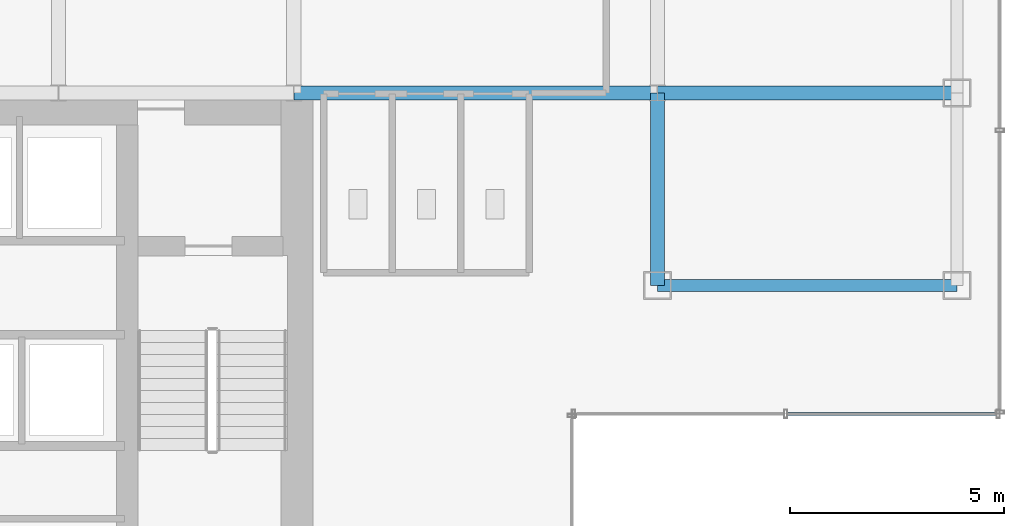
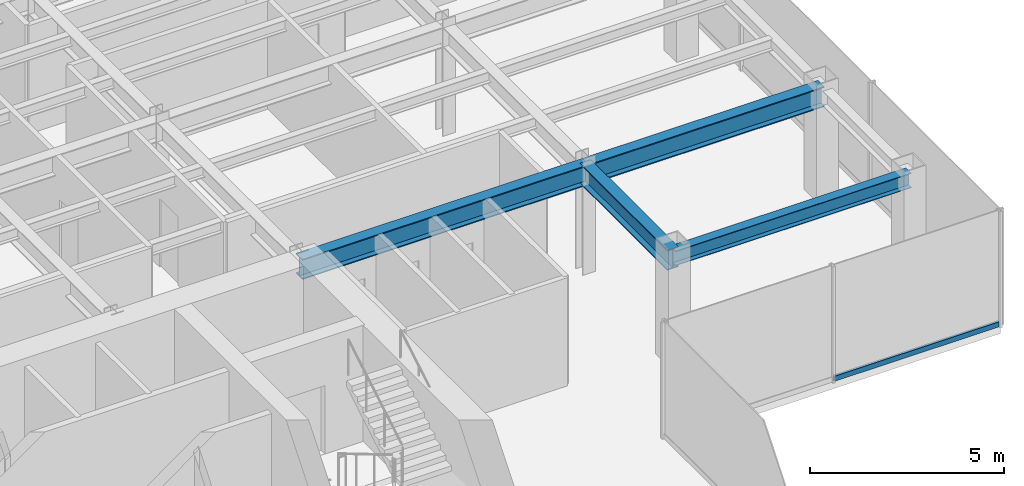
# One storey, part 4 of 19: 4 beams, 1 member, 1 element without a shape of its own.
"""IFC4 building model written with IfcOpenShell, lengths in metres."""

from ifc_helpers import new_model, si_unit, derived_unit, direction, frame, origin, origin_2d, place, context, subcontext, project, spatial, hollow_rectangle, i_section, extrude, source, transform, mapped, material, material_profile, profile_set, type_object, element, aggregate, save


model = new_model("IFC4")

# Units and contexts
model_context = context("Model", 3, precision=1e-05, world=origin(), true_north=direction((0.0, 1.0)))
body_context = subcontext(model_context, "Body", "Model", "MODEL_VIEW")
ifc_project = project(units=[si_unit("LENGTHUNIT", "METRE"), si_unit("AREAUNIT", "SQUARE_METRE"), si_unit("VOLUMEUNIT", "CUBIC_METRE"), si_unit("PLANEANGLEUNIT", "RADIAN"), si_unit("MASSUNIT", "GRAM", prefix="KILO"), derived_unit("THERMALTRANSMITTANCEUNIT", [(si_unit("POWERUNIT", "WATT"), 1), (si_unit("LENGTHUNIT", "METRE"), -2), (si_unit("THERMODYNAMICTEMPERATUREUNIT", "KELVIN"), -1)])], contexts=[model_context])

# Site, building, storey
site_placement = place(None, origin())
site = spatial("IfcSite", under=ifc_project, at=site_placement, CompositionType="ELEMENT")
building_placement = place(site_placement, origin())
building = spatial("IfcBuilding", under=site, at=building_placement, Name="Skarnbrae Concourse Arena and Tower", CompositionType="ELEMENT")
storey_placement = place(building_placement, frame((0.0, 0.0, 180.75)))
storey = spatial("IfcBuildingStorey", under=building, at=storey_placement, Name="L46", CompositionType="ELEMENT", Elevation=180.75)

# Beams
ifc_material_1 = material(Name="Steel CSA G40.21 350W", Category="steel")
ifc_material_profile_1 = material_profile(ifc_material_1, i_section(OverallWidth=0.280029296875, OverallDepth=0.462890625, WebThickness=0.0107421875, FlangeThickness=0.017333984375, at=origin_2d()), Name="W460X113")
ifc_profile_set_1 = profile_set([ifc_material_profile_1], Name="Steel CSA G40.21 350W")
beam_type_1 = type_object("IfcBeamType", Name="BM-SPAN-W460X113", PredefinedType="SPANDREL", material=ifc_profile_set_1)
shared_shape_1 = source(origin(), body_context, "Body", "SweptSolid", [
    extrude(i_section(OverallWidth=0.280029296875, OverallDepth=0.462890625, WebThickness=0.0107421875, FlangeThickness=0.017333984375, at=origin_2d()), origin(), (0.0, 0.0, 1.0), 7.0),
])
beam_1_placement = place(storey_placement, frame((42.0, 9.5, 3.16845703125), z_axis=(1.0, 0.0, 0.0), x_axis=(0.0, 1.0, 0.0)))
element("IfcBeam", 1, at=beam_1_placement, inside=storey, type_object=beam_type_1, Name="L46 Perimeter spandrel Y9.5-2", PredefinedType="SPANDREL", context=body_context, shape_type="MappedRepresentation", body=[
    mapped(shared_shape_1, transform((0.0, 0.0, 0.0))),
])
ifc_material_profile_2 = material_profile(ifc_material_1, i_section(OverallWidth=0.3291015625, OverallDepth=0.635009765625, WebThickness=0.017822265625, FlangeThickness=0.031005859375, at=origin_2d()), Name="W610X241")
ifc_profile_set_2 = profile_set([ifc_material_profile_2], Name="Steel CSA G40.21 350W")
beam_type_2 = type_object("IfcBeamType", Name="BM-GIRD-W610X241", PredefinedType="BEAM", material=ifc_profile_set_2)
shared_shape_2 = source(origin(), body_context, "Body", "SweptSolid", [
    extrude(i_section(OverallWidth=0.3291015625, OverallDepth=0.635009765625, WebThickness=0.017822265625, FlangeThickness=0.031005859375, at=origin_2d()), origin(), (0.0, 0.0, 1.0), 8.5),
])
beam_2_placement = place(storey_placement, frame((33.5, 14.0, 3.08251953125), z_axis=(1.0, 0.0, 0.0), x_axis=(0.0, 1.0, 0.0)))
element("IfcBeam", 2, at=beam_2_placement, inside=storey, type_object=beam_type_2, Name="L46 Primary E-W girder Y14.0-6", PredefinedType="BEAM", context=body_context, shape_type="MappedRepresentation", body=[
    mapped(shared_shape_2, transform((0.0, 0.0, 0.0))),
])
shared_shape_3 = source(origin(), body_context, "Body", "SweptSolid", [
    extrude(i_section(OverallWidth=0.3291015625, OverallDepth=0.635009765625, WebThickness=0.017822265625, FlangeThickness=0.031005859375, at=origin_2d()), origin(), (0.0, 0.0, 1.0), 7.0),
])
beam_3_placement = place(storey_placement, frame((42.0, 14.0, 3.08251953125), z_axis=(1.0, 0.0, 0.0), x_axis=(0.0, 1.0, 0.0)))
element("IfcBeam", 3, at=beam_3_placement, inside=storey, type_object=beam_type_2, Name="L46 Primary E-W girder Y14.0-7", PredefinedType="BEAM", context=body_context, shape_type="MappedRepresentation", body=[
    mapped(shared_shape_3, transform((0.0, 0.0, 0.0))),
])
shared_shape_4 = source(origin(), body_context, "Body", "SweptSolid", [
    extrude(i_section(OverallWidth=0.3291015625, OverallDepth=0.635009765625, WebThickness=0.017822265625, FlangeThickness=0.031005859375, at=origin_2d()), origin(), (0.0, 0.0, 1.0), 4.5),
])
beam_4_placement = place(storey_placement, frame((42.0, 9.5, 3.08251953125), z_axis=(0.0, 1.0, 0.0), x_axis=(-1.0, 0.0, 0.0)))
element("IfcBeam", 4, at=beam_4_placement, inside=storey, type_object=beam_type_2, Name="L46 Primary N-S girder X42.0-1", PredefinedType="BEAM", context=body_context, shape_type="MappedRepresentation", body=[
    mapped(shared_shape_4, transform((0.0, 0.0, 0.0))),
])

# Curtain wall, member
ifc_material_2 = material(Name="Bronze anodised aluminium 6063-T6", Category="aluminium")
curtain_wall_type = type_object("IfcCurtainWallType", Name="CW-SYS-04-MIDZONE", PredefinedType="USERDEFINED", material=ifc_material_2)
curtain_wall_placement = place(storey_placement, origin())
curtain_wall = element("IfcCurtainWall", 5, at=curtain_wall_placement, inside=storey, type_object=curtain_wall_type, Name="L46 Unitised curtain wall CW-L46-E03", ObjectType="UNITISED CURTAIN WALL", PredefinedType="USERDEFINED")
ifc_material_profile_3 = material_profile(ifc_material_2, hollow_rectangle(XDim=0.074951171875, YDim=0.159912109375, WallThickness=0.00439453125, at=origin_2d()), Name="ALU-TRAN-75X160")
ifc_profile_set_3 = profile_set([ifc_material_profile_3], Name="Bronze anodised aluminium 6063-T6")
member_type = type_object("IfcMemberType", Name="CWT-CW-04", PredefinedType="USERDEFINED", material=ifc_profile_set_3)
shared_shape_5 = source(origin(), body_context, "Body", "SweptSolid", [
    extrude(hollow_rectangle(XDim=0.074951171875, YDim=0.159912109375, WallThickness=0.00439453125, at=origin_2d()), origin(), (0.0, 0.0, 1.0), 4.887451171875),
])
member_placement = place(storey_placement, frame((45.03759765625, 6.5, 0.080078125), z_axis=(1.0, 0.0, 0.0), x_axis=(0.0, 1.0, 0.0)))
member = element("IfcMember", 6, at=member_placement, type_object=member_type, Name="CW-L46-E03 Transom 2", ObjectType="TRANSOM", PredefinedType="USERDEFINED", context=body_context, shape_type="MappedRepresentation", body=[
    mapped(shared_shape_5, transform((0.0, 0.0, 0.0))),
])
aggregate(curtain_wall, [member])

save(model, "model.ifc")
